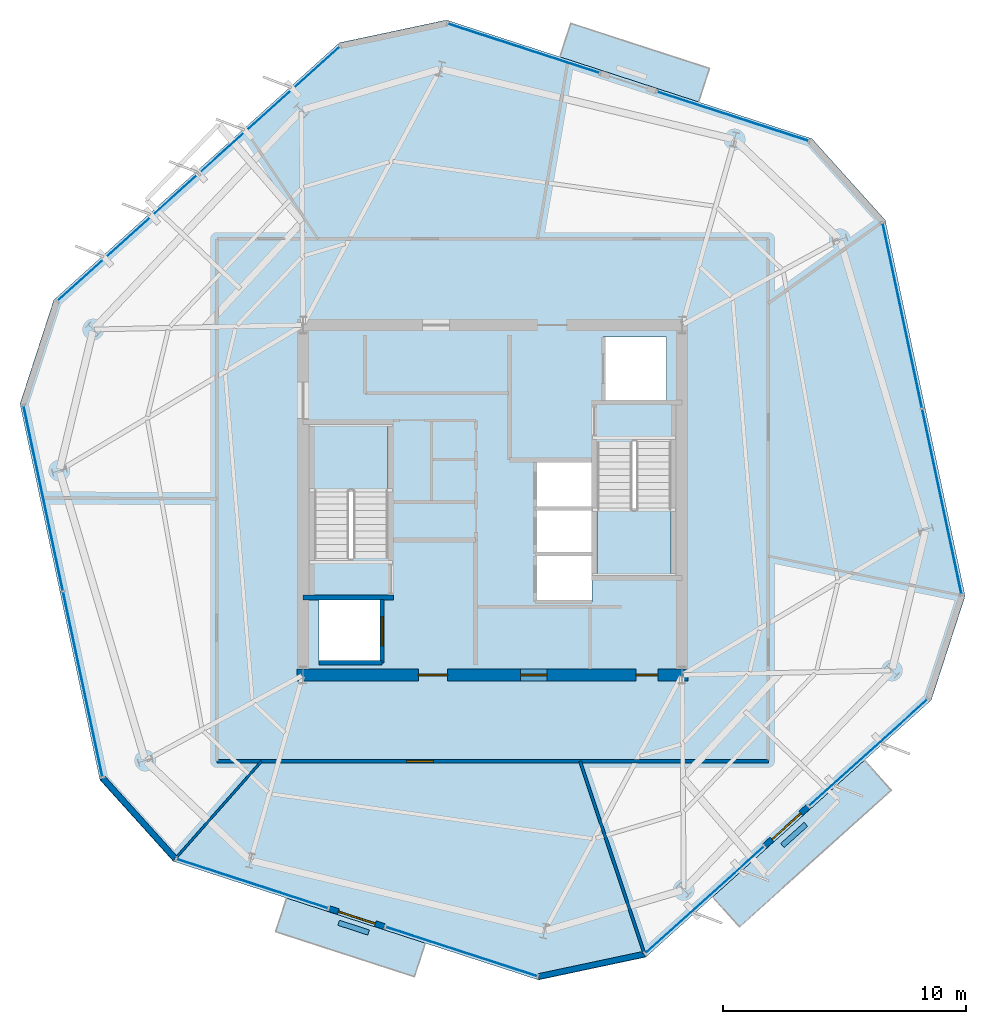
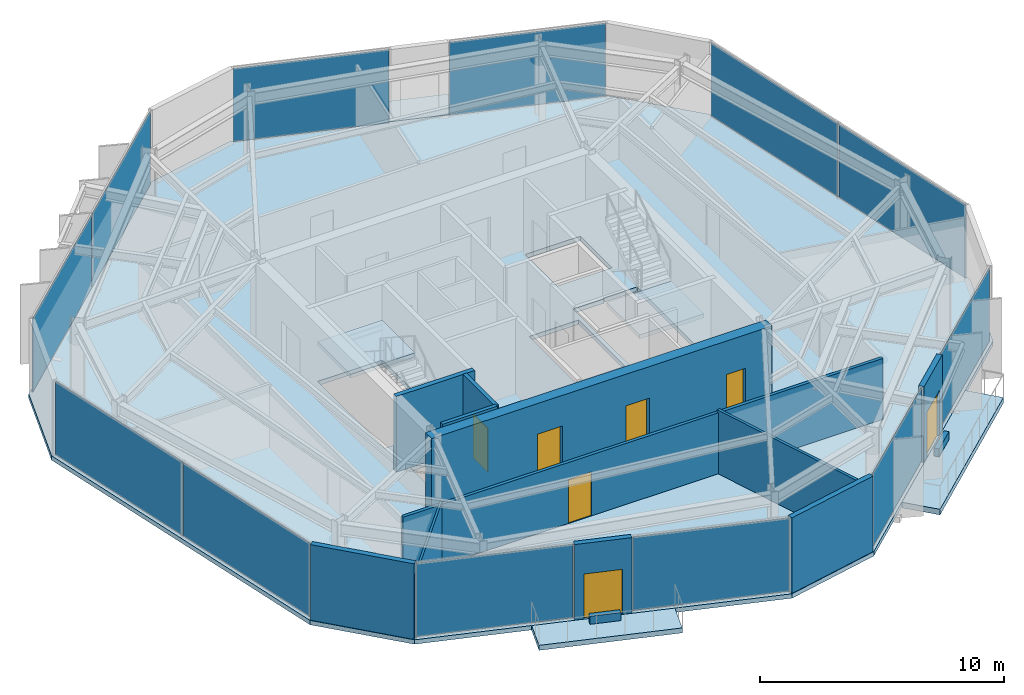
# One storey, part 6 of 11: 13 walls, 12 plates, 7 doors, 6 slabs, 7 openings, 11 elements without a shape of their own.
"""IFC4 building model written with IfcOpenShell, lengths in metres."""

from ifc_helpers import new_model, si_unit, direction, frame, frame_2d, origin, origin_2d, place, context, subcontext, project, spatial, polyline, rectangle, outline, extrude, material, layer, layer_set, type_object, element, fill, aggregate, save


model = new_model("IFC4")

# Units and contexts
model_context = context("Model", 3, precision=1e-05, world=origin(), true_north=direction((0.0, 1.0)))
body_context = subcontext(model_context, "Body", "Model", "MODEL_VIEW")
ifc_project = project(units=[si_unit("LENGTHUNIT", "METRE"), si_unit("AREAUNIT", "SQUARE_METRE"), si_unit("VOLUMEUNIT", "CUBIC_METRE"), si_unit("PLANEANGLEUNIT", "RADIAN"), si_unit("MASSUNIT", "GRAM", prefix="KILO")], contexts=[model_context])

# Site, building, storey
site_placement = place(None, origin())
site = spatial("IfcSite", under=ifc_project, at=site_placement, CompositionType="ELEMENT")
building_placement = place(site_placement, origin())
building = spatial("IfcBuilding", under=site, at=building_placement, Name="Kranzbogen Civic Tower", CompositionType="ELEMENT")
storey_placement = place(building_placement, frame((0.0, 0.0, 192.800048828125)))
storey = spatial("IfcBuildingStorey", under=building, at=storey_placement, Name="L46", CompositionType="ELEMENT", Elevation=192.800048828125)

# Slab
ifc_material_1 = material(Name="Concrete C40/50", Category="concrete")
ifc_layer_1 = layer(ifc_material_1, 0.219970703125, Name="Concrete C40/50")
ifc_layer_set_1 = layer_set([ifc_layer_1], Name="Concrete C40/50")
slab_type_1 = type_object("IfcSlabType", Name="Composite Upper Tower Floor Slab 220 mm", PredefinedType="FLOOR", material=ifc_layer_set_1)
slab_1_placement = place(storey_placement, frame((0.0, 0.0, -0.219970703125)))
element("IfcSlab", 1, at=slab_1_placement, inside=storey, type_object=slab_type_1, Name="L46 tower floor slab", PredefinedType="FLOOR", context=body_context, shape_type="SweptSolid", body=[
    extrude(outline(polyline([(38.14697265625, 39.864990234375), (23.10205078125, 44.7529296875), (18.699951171875, 43.818115234375), (6.944091796875, 33.23291015625), (5.552978515625, 28.952880859375), (8.842041015625, 13.47900390625), (11.85302734375, 10.135009765625), (26.89794921875, 5.2470703125), (31.300048828125, 6.181884765625), (43.055908203125, 16.76708984375), (44.447021484375, 21.047119140625), (41.157958984375, 36.52099609375), (38.14697265625, 39.864990234375)]), holes=[polyline([(17.85009765625, 20.89990234375), (20.449951171875, 20.89990234375), (20.449951171875, 18.300048828125), (17.85009765625, 18.300048828125), (17.85009765625, 20.89990234375)]), polyline([(29.10009765625, 22.699951171875), (29.10009765625, 20.800048828125), (26.75, 20.800048828125), (26.75, 22.699951171875), (29.10009765625, 22.699951171875)]), polyline([(29.10009765625, 24.64990234375), (29.10009765625, 22.77490234375), (26.75, 22.77490234375), (26.75, 24.64990234375), (26.75, 24.675048828125), (26.75, 26.550048828125), (29.10009765625, 26.550048828125), (29.10009765625, 24.675048828125), (29.10009765625, 24.64990234375)]), polyline([(29.300048828125, 27.340087890625), (30.75, 27.340087890625), (30.75, 27.39990234375), (32.35009765625, 27.39990234375), (32.35009765625, 21.89990234375), (29.300048828125, 21.89990234375), (29.300048828125, 27.340087890625)]), polyline([(20.699951171875, 22.659912109375), (19.25, 22.659912109375), (19.25, 22.60009765625), (17.64990234375, 22.60009765625), (17.64990234375, 28.10009765625), (20.699951171875, 28.10009765625), (20.699951171875, 22.659912109375)]), polyline([(32.14990234375, 31.699951171875), (32.14990234375, 29.10009765625), (29.550048828125, 29.10009765625), (29.550048828125, 31.699951171875), (32.14990234375, 31.699951171875)])]), origin(), (0.0, 0.0, 1.0), 0.219970703125),
])

# Curtain wall, plate
ifc_material_2 = material(Name="Pale Anodised Aluminium", Category="aluminium")
ifc_layer_2 = layer(ifc_material_2, 0.219970703125, Name="Pale Anodised Aluminium")
ifc_layer_set_2 = layer_set([ifc_layer_2], Name="Pale Anodised Aluminium")
curtain_wall_type = type_object("IfcCurtainWallType", Name="Zone 3 Stick Curtain Wall System CW-04", PredefinedType="USERDEFINED", material=ifc_layer_set_2)
curtain_wall_1_placement = place(storey_placement, origin())
curtain_wall_1 = element("IfcCurtainWall", 2, at=curtain_wall_1_placement, inside=storey, type_object=curtain_wall_type, Name="L46 curtain wall CW-L46-F1-S1", ObjectType="STICK CURTAIN WALL", PredefinedType="USERDEFINED")
ifc_material_3 = material(Name="Low-E Triple Glazing Glass", Category="glass")
ifc_layer_3 = layer(ifc_material_3, 0.030029296875, Name="Low-E Triple Glazing Glass")
ifc_layer_set_3 = layer_set([ifc_layer_3], Name="Low-E Triple Glazing Glass")
plate_type = type_object("IfcPlateType", Name="Insulated Low-E Glazing Panel 30 mm", PredefinedType="CURTAIN_PANEL", material=ifc_layer_set_3)
plate_1_placement = place(storey_placement, frame((34.889892578125, 40.7880859375, 0.06005859375), z_axis=(0.0, 0.0, 1.0), x_axis=(-0.951060572713, 0.309004509725, 0.0)))
plate_1 = element("IfcPlate", 3, at=plate_1_placement, type_object=plate_type, Name="CW-04 panel 1.1", PredefinedType="CURTAIN_PANEL", context=body_context, shape_type="SweptSolid", body=[
    extrude(rectangle(XDim=6.53369140625, YDim=0.028076171875, at=origin_2d()), origin(), (0.0, 0.0, 1.0), 3.659912109375),
])
aggregate(curtain_wall_1, [plate_1])

curtain_wall_2_placement = place(storey_placement, origin())
curtain_wall_2 = element("IfcCurtainWall", 4, at=curtain_wall_2_placement, inside=storey, type_object=curtain_wall_type, Name="L46 curtain wall CW-L46-F1-S2", ObjectType="STICK CURTAIN WALL", PredefinedType="USERDEFINED")
plate_2_placement = place(storey_placement, frame((26.279052734375, 43.5859375, 0.06005859375), z_axis=(0.0, 0.0, 1.0), x_axis=(-0.951060572713, 0.309004509725, 0.0)))
plate_2 = element("IfcPlate", 5, at=plate_2_placement, type_object=plate_type, Name="CW-04 panel 1.1", PredefinedType="CURTAIN_PANEL", context=body_context, shape_type="SweptSolid", body=[
    extrude(rectangle(XDim=6.53369140625, YDim=0.028076171875, at=origin_2d()), origin(), (0.0, 0.0, 1.0), 3.659912109375),
])
aggregate(curtain_wall_2, [plate_2])

# Curtain wall, plates
curtain_wall_3_placement = place(storey_placement, origin())
curtain_wall_3 = element("IfcCurtainWall", 6, at=curtain_wall_3_placement, inside=storey, type_object=curtain_wall_type, Name="L46 curtain wall CW-L46-F2", ObjectType="STICK CURTAIN WALL", PredefinedType="USERDEFINED")
plate_3_placement = place(storey_placement, frame((15.814697265625, 41.04736328125, 0.06005859375), z_axis=(0.0, 0.0, 1.0), x_axis=(-0.743158008002, -0.669115965392, 0.0)))
plate_3 = element("IfcPlate", 7, at=plate_3_placement, type_object=plate_type, Name="CW-04 panel 1.1", PredefinedType="CURTAIN_PANEL", context=body_context, shape_type="SweptSolid", body=[
    extrude(rectangle(XDim=7.763671875, YDim=0.028076171875, at=origin_2d()), origin(), (0.0, 0.0, 1.0), 3.659912109375),
])
plate_4_placement = place(storey_placement, frame((10.00048828125, 35.8125, 0.06005859375), z_axis=(0.0, 0.0, 1.0), x_axis=(-0.743158008002, -0.669115965392, 0.0)))
plate_4 = element("IfcPlate", 8, at=plate_4_placement, type_object=plate_type, Name="CW-04 panel 2.1", PredefinedType="CURTAIN_PANEL", context=body_context, shape_type="SweptSolid", body=[
    extrude(rectangle(XDim=7.763671875, YDim=0.028076171875, at=origin_2d()), origin(), (0.0, 0.0, 1.0), 3.659912109375),
])
aggregate(curtain_wall_3, [plate_3, plate_4])

curtain_wall_4_placement = place(storey_placement, origin())
curtain_wall_4 = element("IfcCurtainWall", 9, at=curtain_wall_4_placement, inside=storey, type_object=curtain_wall_type, Name="L46 curtain wall CW-L46-F3", ObjectType="STICK CURTAIN WALL", PredefinedType="USERDEFINED")
plate_5_placement = place(storey_placement, frame((6.509521484375, 25.069091796875, 0.06005859375), z_axis=(0.0, 0.0, 1.0), x_axis=(0.2079158588, -0.978146714793, 0.0)))
plate_5 = element("IfcPlate", 10, at=plate_5_placement, type_object=plate_type, Name="CW-04 panel 1.1", PredefinedType="CURTAIN_PANEL", context=body_context, shape_type="SweptSolid", body=[
    extrude(rectangle(XDim=7.76416015625, YDim=0.028076171875, at=origin_2d()), origin(), (0.0, 0.0, 1.0), 3.659912109375),
])
plate_6_placement = place(storey_placement, frame((8.136474609375, 17.416015625, 0.06005859375), z_axis=(0.0, 0.0, 1.0), x_axis=(0.2079158588, -0.978146714793, 0.0)))
plate_6 = element("IfcPlate", 11, at=plate_6_placement, type_object=plate_type, Name="CW-04 panel 2.1", PredefinedType="CURTAIN_PANEL", context=body_context, shape_type="SweptSolid", body=[
    extrude(rectangle(XDim=7.76416015625, YDim=0.028076171875, at=origin_2d()), origin(), (0.0, 0.0, 1.0), 3.659912109375),
])
aggregate(curtain_wall_4, [plate_5, plate_6])

# Curtain wall, plate
curtain_wall_5_placement = place(storey_placement, origin())
curtain_wall_5 = element("IfcCurtainWall", 12, at=curtain_wall_5_placement, inside=storey, type_object=curtain_wall_type, Name="L46 curtain wall CW-L46-F4-S1", ObjectType="STICK CURTAIN WALL", PredefinedType="USERDEFINED")
plate_7_placement = place(storey_placement, frame((15.110107421875, 9.2119140625, 0.06005859375), z_axis=(0.0, 0.0, 1.0), x_axis=(0.951060572713, -0.309004509725, 0.0)))
plate_7 = element("IfcPlate", 13, at=plate_7_placement, type_object=plate_type, Name="CW-04 panel 1.1", PredefinedType="CURTAIN_PANEL", context=body_context, shape_type="SweptSolid", body=[
    extrude(rectangle(XDim=6.53369140625, YDim=0.028076171875, at=origin_2d()), origin(), (0.0, 0.0, 1.0), 3.659912109375),
])
aggregate(curtain_wall_5, [plate_7])

curtain_wall_6_placement = place(storey_placement, origin())
curtain_wall_6 = element("IfcCurtainWall", 14, at=curtain_wall_6_placement, inside=storey, type_object=curtain_wall_type, Name="L46 curtain wall CW-L46-F4-S2", ObjectType="STICK CURTAIN WALL", PredefinedType="USERDEFINED")
plate_8_placement = place(storey_placement, frame((23.720947265625, 6.4140625, 0.06005859375), z_axis=(0.0, 0.0, 1.0), x_axis=(0.951060572713, -0.309004509725, 0.0)))
plate_8 = element("IfcPlate", 15, at=plate_8_placement, type_object=plate_type, Name="CW-04 panel 1.1", PredefinedType="CURTAIN_PANEL", context=body_context, shape_type="SweptSolid", body=[
    extrude(rectangle(XDim=6.53369140625, YDim=0.028076171875, at=origin_2d()), origin(), (0.0, 0.0, 1.0), 3.659912109375),
])
aggregate(curtain_wall_6, [plate_8])

curtain_wall_7_placement = place(storey_placement, origin())
curtain_wall_7 = element("IfcCurtainWall", 16, at=curtain_wall_7_placement, inside=storey, type_object=curtain_wall_type, Name="L46 curtain wall CW-L46-F5-S1", ObjectType="STICK CURTAIN WALL", PredefinedType="USERDEFINED")
plate_9_placement = place(storey_placement, frame((33.72802734375, 8.541015625, 0.06005859375), z_axis=(0.0, 0.0, 1.0), x_axis=(0.743114748372, 0.669164008859, 0.0)))
plate_9 = element("IfcPlate", 17, at=plate_9_placement, type_object=plate_type, Name="CW-04 panel 1.1", PredefinedType="CURTAIN_PANEL", context=body_context, shape_type="SweptSolid", body=[
    extrude(rectangle(XDim=6.532958984375, YDim=0.028076171875, at=origin_2d()), origin(), (0.0, 0.0, 1.0), 3.659912109375),
])
aggregate(curtain_wall_7, [plate_9])

curtain_wall_8_placement = place(storey_placement, origin())
curtain_wall_8 = element("IfcCurtainWall", 18, at=curtain_wall_8_placement, inside=storey, type_object=curtain_wall_type, Name="L46 curtain wall CW-L46-F5-S2", ObjectType="STICK CURTAIN WALL", PredefinedType="USERDEFINED")
plate_10_placement = place(storey_placement, frame((40.45654296875, 14.598388671875, 0.06005859375), z_axis=(0.0, 0.0, 1.0), x_axis=(0.743107311977, 0.669172266974, 0.0)))
plate_10 = element("IfcPlate", 19, at=plate_10_placement, type_object=plate_type, Name="CW-04 panel 1.1", PredefinedType="CURTAIN_PANEL", context=body_context, shape_type="SweptSolid", body=[
    extrude(rectangle(XDim=6.534423828125, YDim=0.028076171875, at=origin_2d()), origin(), (0.0, 0.0, 1.0), 3.659912109375),
])
aggregate(curtain_wall_8, [plate_10])

# Curtain wall, plates
curtain_wall_9_placement = place(storey_placement, origin())
curtain_wall_9 = element("IfcCurtainWall", 20, at=curtain_wall_9_placement, inside=storey, type_object=curtain_wall_type, Name="L46 curtain wall CW-L46-F6", ObjectType="STICK CURTAIN WALL", PredefinedType="USERDEFINED")
plate_11_placement = place(storey_placement, frame((43.490478515625, 24.930908203125, 0.06005859375), z_axis=(0.0, 0.0, 1.0), x_axis=(-0.2079158588, 0.978146714793, 0.0)))
plate_11 = element("IfcPlate", 21, at=plate_11_placement, type_object=plate_type, Name="CW-04 panel 1.1", PredefinedType="CURTAIN_PANEL", context=body_context, shape_type="SweptSolid", body=[
    extrude(rectangle(XDim=7.76416015625, YDim=0.028076171875, at=origin_2d()), origin(), (0.0, 0.0, 1.0), 3.659912109375),
])
plate_12_placement = place(storey_placement, frame((41.863525390625, 32.583984375, 0.06005859375), z_axis=(0.0, 0.0, 1.0), x_axis=(-0.2079158588, 0.978146714793, 0.0)))
plate_12 = element("IfcPlate", 22, at=plate_12_placement, type_object=plate_type, Name="CW-04 panel 2.1", PredefinedType="CURTAIN_PANEL", context=body_context, shape_type="SweptSolid", body=[
    extrude(rectangle(XDim=7.76416015625, YDim=0.028076171875, at=origin_2d()), origin(), (0.0, 0.0, 1.0), 3.659912109375),
])
aggregate(curtain_wall_9, [plate_11, plate_12])

# Stair, slab
ifc_material_4 = material(Name="Precast concrete C40/50", Category="concrete")
stair_type_1 = type_object("IfcStairType", Name="Tower Core Pressurized Dogleg Stair 1450", PredefinedType="HALF_TURN_STAIR", material=ifc_material_4)
stair_1_placement = place(storey_placement, origin())
stair_1 = element("IfcStair", 23, at=stair_1_placement, inside=storey, type_object=stair_type_1, Name="L46 Tower Core Pressurized Stair 1", PredefinedType="HALF_TURN_STAIR")
ifc_layer_4 = layer(ifc_material_4, 0.199951171875, Name="Precast concrete C40/50")
ifc_layer_set_4 = layer_set([ifc_layer_4], Name="Precast concrete C40/50")
slab_type_2 = type_object("IfcSlabType", Name="Precast Concrete Stair Landing Slab 200 mm", PredefinedType="LANDING", material=ifc_layer_set_4)
slab_2_placement = place(storey_placement, frame((0.0, 0.0, 1.800048828125)))
slab_2 = element("IfcSlab", 24, at=slab_2_placement, type_object=slab_type_2, Name="ST-T1 landing 1", PredefinedType="LANDING", context=body_context, shape_type="SweptSolid", body=[
    extrude(outline(polyline([(20.699951171875, 25.39990234375), (20.699951171875, 28.10009765625), (17.64990234375, 28.10009765625), (17.64990234375, 25.39990234375), (20.699951171875, 25.39990234375)])), origin(), (0.0, 0.0, 1.0), 0.199951171875),
])
aggregate(stair_1, [slab_2])

stair_type_2 = type_object("IfcStairType", Name="Tower Core Secondary Dogleg Stair 1450", PredefinedType="HALF_TURN_STAIR", material=ifc_material_4)
stair_2_placement = place(storey_placement, origin())
stair_2 = element("IfcStair", 25, at=stair_2_placement, inside=storey, type_object=stair_type_2, Name="L46 Tower Core Pressurized Stair 2", PredefinedType="HALF_TURN_STAIR")
slab_3_placement = place(storey_placement, frame((0.0, 0.0, 1.800048828125)))
slab_3 = element("IfcSlab", 26, at=slab_3_placement, type_object=slab_type_2, Name="ST-T2 landing 1", PredefinedType="LANDING", context=body_context, shape_type="SweptSolid", body=[
    extrude(outline(polyline([(29.300048828125, 24.60009765625), (29.300048828125, 21.89990234375), (32.35009765625, 21.89990234375), (32.35009765625, 24.60009765625), (29.300048828125, 24.60009765625)])), origin(), (0.0, 0.0, 1.0), 0.199951171875),
])
aggregate(stair_2, [slab_3])

# Slabs
ifc_layer_5 = layer(ifc_material_1, 0.280029296875, Name="Concrete C40/50")
ifc_layer_set_5 = layer_set([ifc_layer_5], Name="Concrete C40/50")
slab_type_3 = type_object("IfcSlabType", Name="Spiral Terrace Cantilevered Slab 280 mm", PredefinedType="FLOOR", material=ifc_layer_set_5)
slab_4_placement = place(storey_placement, frame((0.0, 0.0, -0.280029296875)))
element("IfcSlab", 27, at=slab_4_placement, inside=storey, type_object=slab_type_3, Name="L46 cantilevered spiral terrace L46-ST", PredefinedType="FLOOR", context=body_context, shape_type="SweptSolid", body=[
    extrude(outline(polyline([(34.056884765625, 8.6640625), (40.299072265625, 14.284912109375), (41.403076171875, 13.05908203125), (35.160888671875, 7.43798828125), (34.056884765625, 8.6640625)])), origin(), (0.0, 0.0, 1.0), 0.280029296875),
])
ifc_layer_6 = layer(ifc_material_1, 0.25, Name="Concrete C40/50")
ifc_layer_set_6 = layer_set([ifc_layer_6], Name="Concrete C40/50")
slab_type_4 = type_object("IfcSlabType", Name="Tree Balcony Cantilevered Slab 250 mm", PredefinedType="FLOOR", material=ifc_layer_set_6)
slab_5_placement = place(storey_placement, frame((0.0, 0.0, -0.25)))
element("IfcSlab", 28, at=slab_5_placement, inside=storey, type_object=slab_type_4, Name="L46 cantilevered tree balcony L46-TB1", PredefinedType="FLOOR", context=body_context, shape_type="SweptSolid", body=[
    extrude(outline(polyline([(33.47705078125, 41.382080078125), (27.77099609375, 43.236083984375), (28.218994140625, 44.614990234375), (33.925048828125, 42.760986328125), (33.47705078125, 41.382080078125)])), origin(), (0.0, 0.0, 1.0), 0.25),
])
slab_6_placement = place(storey_placement, frame((0.0, 0.0, -0.25)))
element("IfcSlab", 29, at=slab_6_placement, inside=storey, type_object=slab_type_4, Name="L46 cantilevered tree balcony L46-TB2", PredefinedType="FLOOR", context=body_context, shape_type="SweptSolid", body=[
    extrude(outline(polyline([(16.52294921875, 8.617919921875), (22.22900390625, 6.763916015625), (21.781005859375, 5.385009765625), (16.074951171875, 7.239013671875), (16.52294921875, 8.617919921875)])), origin(), (0.0, 0.0, 1.0), 0.25),
])

# Wall, opening, door
ifc_material_5 = material(Name="Double-Stud Acoustic Gypsum Partition")
ifc_layer_7 = layer(ifc_material_5, 0.14990234375, Name="Double-Stud Acoustic Gypsum Partition")
ifc_layer_set_7 = layer_set([ifc_layer_7], Name="Double-Stud Acoustic Gypsum Partition")
wall_type_1 = type_object("IfcWallType", Name="Acoustic Corridor and Clinical Partition 150 mm", PredefinedType="PARTITIONING", material=ifc_layer_set_7)
wall_1_placement = place(storey_placement, frame((36.35009765625, 14.25, 0.0), z_axis=(0.0, 0.0, 1.0), x_axis=(-1.0, 0.0, 0.0)))
wall_1 = element("IfcWall", 30, at=wall_1_placement, inside=storey, type_object=wall_type_1, Name="L46 corridor partition 03", PredefinedType="PARTITIONING", context=body_context, shape_type="SweptSolid", body=[
    extrude(rectangle(XDim=22.7001953125, YDim=0.14990234375, at=frame_2d((11.35009765625, 0.0))), origin(), (0.0, 0.0, 1.0), 3.050048828125),
])
opening_1_placement = place(wall_1_placement, frame((13.783935546875, 0.0, 0.0)))
opening_1 = element("IfcOpeningElement", 31, at=opening_1_placement, cuts=wall_1, Name="Opening D-COR60", PredefinedType="OPENING", context=body_context, shape_type="SweptSolid", body=[
    extrude(rectangle(XDim=1.10009765625, YDim=2.199951171875, at=frame_2d((0.550048828125, 1.10009765625))), frame((0.0, 0.0849609375, 0.0), z_axis=(0.0, -1.0, 0.0), x_axis=(1.0, 0.0, 0.0)), (0.0, 0.0, 1.0), 0.169921875),
])
ifc_material_6 = material(Name="Oak Timber and Fire Core", Category="wood")
door_type_1 = type_object("IfcDoorType", Name="Corridor Acoustic Fire Door 1100x2200", OperationType="NOTDEFINED", PredefinedType="DOOR", material=ifc_material_6)
door_1_placement = place(opening_1_placement, origin())
door_1 = element("IfcDoor", 32, at=door_1_placement, inside=storey, type_object=door_type_1, Name="L46 Urban Design Workshop door", OperationType="SINGLE_SWING_RIGHT", OverallHeight=2.199951171875, OverallWidth=1.10009765625, PredefinedType="DOOR", context=body_context, shape_type="SweptSolid", body=[
    extrude(rectangle(XDim=1.10009765625, YDim=2.199951171875, at=frame_2d((0.550048828125, 1.10009765625))), frame((0.0, 0.02490234375, 0.0), z_axis=(0.0, -1.0, 0.0), x_axis=(1.0, 0.0, 0.0)), (0.0, 0.0, 1.0), 0.050048828125),
])
fill(opening_1, door_1)

# Walls
ifc_material_7 = material(Name="Insulated Metal-Stud Gypsum Partition")
ifc_layer_8 = layer(ifc_material_7, 0.125, Name="Insulated Metal-Stud Gypsum Partition")
ifc_layer_set_8 = layer_set([ifc_layer_8], Name="Insulated Metal-Stud Gypsum Partition")
wall_type_2 = type_object("IfcWallType", Name="Acoustic Inter-Room Partition 125 mm", PredefinedType="PARTITIONING", material=ifc_layer_set_8)
wall_2_placement = place(storey_placement, frame((28.59912109375, 14.25, 0.0), z_axis=(0.0, 0.0, 1.0), x_axis=(0.317473059153, -0.948267291808, 0.0)))
element("IfcWall", 33, at=wall_2_placement, inside=storey, type_object=wall_type_2, Name="L46 radial room partition 05", PredefinedType="PARTITIONING", context=body_context, shape_type="SweptSolid", body=[
    extrude(rectangle(XDim=8.349853515625, YDim=0.125, at=frame_2d((4.1748046875, 0.0))), origin(), (0.0, 0.0, 1.0), 3.179931640625),
])
ifc_material_8 = material(Name="Architectural Precast Terracotta Concrete C40/50", Category="masonry")
ifc_layer_9 = layer(ifc_material_8, 0.219970703125, Name="Architectural Precast Terracotta Concrete C40/50")
ifc_layer_set_9 = layer_set([ifc_layer_9], Name="Architectural Precast Terracotta Concrete C40/50")
wall_type_3 = type_object("IfcWallType", Name="Architectural Tree Planter Kerb Wall 220 mm", PredefinedType="USERDEFINED", material=ifc_layer_set_9)
wall_3_placement = place(storey_placement, frame((18.6640625, 7.60205078125, 0.0), z_axis=(0.0, 0.0, 1.0), x_axis=(0.950931858287, -0.309400389293, 0.0)))
element("IfcWall", 34, at=wall_3_placement, inside=storey, type_object=wall_type_3, Name="L46 landscaped tree balcony planter L46-TB2", ObjectType="PLANTER_WALL", PredefinedType="USERDEFINED", context=body_context, shape_type="SweptSolid", body=[
    extrude(rectangle(XDim=1.299560546875, YDim=0.219970703125, at=frame_2d((0.64990234375, 0.0))), origin(), (0.0, 0.0, 1.0), 0.39990234375),
])
wall_4_placement = place(storey_placement, frame((36.927001953125, 10.781982421875, 0.0), z_axis=(0.0, 0.0, 1.0), x_axis=(0.743041992212, 0.669244796625, 0.0)))
element("IfcWall", 35, at=wall_4_placement, inside=storey, type_object=wall_type_3, Name="L46 landscaped tree balcony planter L46-ST", ObjectType="PLANTER_WALL", PredefinedType="USERDEFINED", context=body_context, shape_type="SweptSolid", body=[
    extrude(rectangle(XDim=1.300048828125, YDim=0.219970703125, at=frame_2d((0.64990234375, 0.0))), origin(), (0.0, 0.0, 1.0), 0.39990234375),
])

# Wall, openings, doors
ifc_material_9 = material(Name="Concrete C45/55", Category="concrete")
ifc_layer_10 = layer(ifc_material_9, 0.5, Name="Concrete C45/55")
ifc_layer_set_10 = layer_set([ifc_layer_10], Name="Concrete C45/55")
wall_type_4 = type_object("IfcWallType", Name="Central Core Shear Wall 500 mm", PredefinedType="SHEAR", material=ifc_layer_set_10)
wall_5_placement = place(storey_placement, frame((16.949951171875, 17.800048828125, 0.0), z_axis=(0.0, 0.0, 1.0), x_axis=(1.0, 0.0, 0.0)))
wall_5 = element("IfcWall", 36, at=wall_5_placement, inside=storey, type_object=wall_type_4, Name="L46 central core South shear wall", PredefinedType="SHEAR", context=body_context, shape_type="SweptSolid", body=[
    extrude(rectangle(XDim=16.10009765625, YDim=0.5, at=frame_2d((8.050048828125, 0.0))), origin(), (0.0, 0.0, 1.0), 3.780029296875),
])
opening_2_placement = place(wall_5_placement, frame((5.0, 0.0, 0.0)))
opening_2 = element("IfcOpeningElement", 37, at=opening_2_placement, cuts=wall_5, Name="Opening D-EX120", PredefinedType="OPENING", context=body_context, shape_type="SweptSolid", body=[
    extrude(rectangle(XDim=1.199951171875, YDim=2.25, at=frame_2d((0.60009765625, 1.125))), frame((0.0, 0.260009765625, 0.0), z_axis=(0.0, -1.0, 0.0), x_axis=(1.0, 0.0, 0.0)), (0.0, 0.0, 1.0), 0.52001953125),
])
opening_3_placement = place(wall_5_placement, frame((13.949951171875, 0.0, 0.0)))
opening_3 = element("IfcOpeningElement", 38, at=opening_3_placement, cuts=wall_5, Name="Opening D-WC90", PredefinedType="OPENING", context=body_context, shape_type="SweptSolid", body=[
    extrude(rectangle(XDim=0.89990234375, YDim=2.10009765625, at=frame_2d((0.449951171875, 1.050048828125))), frame((0.0, 0.260009765625, 0.0), z_axis=(0.0, -1.0, 0.0), x_axis=(1.0, 0.0, 0.0)), (0.0, 0.0, 1.0), 0.52001953125),
])
opening_4_placement = place(wall_5_placement, frame((9.199951171875, 0.0, 0.0)))
opening_4 = element("IfcOpeningElement", 39, at=opening_4_placement, cuts=wall_5, Name="Opening D-COR60", PredefinedType="OPENING", context=body_context, shape_type="SweptSolid", body=[
    extrude(rectangle(XDim=1.10009765625, YDim=2.199951171875, at=frame_2d((0.550048828125, 1.10009765625))), frame((0.0, 0.260009765625, 0.0), z_axis=(0.0, -1.0, 0.0), x_axis=(1.0, 0.0, 0.0)), (0.0, 0.0, 1.0), 0.52001953125),
])
door_2_placement = place(opening_4_placement, origin())
door_2 = element("IfcDoor", 40, at=door_2_placement, inside=storey, type_object=door_type_1, Name="L46 REC1 archive room door", OperationType="SINGLE_SWING_LEFT", OverallHeight=2.199951171875, OverallWidth=1.10009765625, PredefinedType="DOOR", context=body_context, shape_type="SweptSolid", body=[
    extrude(rectangle(XDim=1.10009765625, YDim=2.199951171875, at=frame_2d((0.550048828125, 1.10009765625))), frame((0.0, 0.02490234375, 0.0), z_axis=(0.0, -1.0, 0.0), x_axis=(1.0, 0.0, 0.0)), (0.0, 0.0, 1.0), 0.050048828125),
])
fill(opening_4, door_2)
ifc_material_10 = material(Name="Steel S355", Category="steel")
door_type_2 = type_object("IfcDoorType", Name="Exit Passageway Fire Door 1200x2250", OperationType="NOTDEFINED", PredefinedType="DOOR", material=ifc_material_10)
door_3_placement = place(opening_2_placement, origin())
door_3 = element("IfcDoor", 41, at=door_3_placement, inside=storey, type_object=door_type_2, Name="L46 West firefighting lobby corridor door", OperationType="SINGLE_SWING_RIGHT", OverallHeight=2.25, OverallWidth=1.199951171875, PredefinedType="DOOR", context=body_context, shape_type="SweptSolid", body=[
    extrude(rectangle(XDim=1.199951171875, YDim=2.25, at=frame_2d((0.60009765625, 1.125))), frame((0.0, 0.02490234375, 0.0), z_axis=(0.0, -1.0, 0.0), x_axis=(1.0, 0.0, 0.0)), (0.0, 0.0, 1.0), 0.050048828125),
])
fill(opening_2, door_3)
ifc_material_11 = material(Name="Moisture-Resistant Laminate")
door_type_3 = type_object("IfcDoorType", Name="Standard Restroom and Store Door 900x2100", OperationType="NOTDEFINED", PredefinedType="DOOR", material=ifc_material_11)
door_4_placement = place(opening_3_placement, origin())
door_4 = element("IfcDoor", 42, at=door_4_placement, inside=storey, type_object=door_type_3, Name="L46 East electrical riser access door", OperationType="SINGLE_SWING_RIGHT", OverallHeight=2.10009765625, OverallWidth=0.89990234375, PredefinedType="DOOR", context=body_context, shape_type="SweptSolid", body=[
    extrude(rectangle(XDim=0.89990234375, YDim=2.10009765625, at=frame_2d((0.449951171875, 1.050048828125))), frame((0.0, 0.02490234375, 0.0), z_axis=(0.0, -1.0, 0.0), x_axis=(1.0, 0.0, 0.0)), (0.0, 0.0, 1.0), 0.050048828125),
])
fill(opening_3, door_4)

# Walls
ifc_layer_11 = layer(ifc_material_9, 0.219970703125, Name="Concrete C45/55")
ifc_layer_set_11 = layer_set([ifc_layer_11], Name="Concrete C45/55")
wall_type_5 = type_object("IfcWallType", Name="Core Internal Stair Structural Wall 220 mm", PredefinedType="SOLIDWALL", material=ifc_layer_set_11)
wall_6_placement = place(storey_placement, frame((17.199951171875, 20.989990234375, 0.0), z_axis=(0.0, 0.0, 1.0), x_axis=(1.0, 0.0, 0.0)))
element("IfcWall", 43, at=wall_6_placement, inside=storey, type_object=wall_type_5, Name="L46 ST-T1 South structural stair wall", PredefinedType="SOLIDWALL", context=body_context, shape_type="SweptSolid", body=[
    extrude(rectangle(XDim=3.719970703125, YDim=0.219970703125, at=frame_2d((1.85986328125, 0.0))), origin(), (0.0, 0.0, 1.0), 3.780029296875),
])
ifc_material_12 = material(Name="Demountable Aluminium and Gypsum Partition", Category="aluminium")
ifc_layer_12 = layer(ifc_material_12, 0.10009765625, Name="Demountable Aluminium and Gypsum Partition")
ifc_layer_set_12 = layer_set([ifc_layer_12], Name="Demountable Aluminium and Gypsum Partition")
wall_type_6 = type_object("IfcWallType", Name="Demountable Office Partition 100 mm", PredefinedType="MOVABLE", material=ifc_layer_set_12)
wall_7_placement = place(storey_placement, frame((15.491943359375, 14.25, 0.0), z_axis=(0.0, 0.0, 1.0), x_axis=(-0.662370464817, -0.749176459412, 0.0)))
element("IfcWall", 44, at=wall_7_placement, inside=storey, type_object=wall_type_6, Name="L46 radial room partition 04", PredefinedType="MOVABLE", context=body_context, shape_type="SweptSolid", body=[
    extrude(rectangle(XDim=5.335205078125, YDim=0.10009765625, at=frame_2d((2.66748046875, 0.0))), origin(), (0.0, 0.0, 1.0), 3.179931640625),
])

# Wall, opening, door
ifc_material_13 = material(Name="Gypsum Fireboard Shaftliner")
ifc_layer_13 = layer(ifc_material_13, 0.175048828125, Name="Gypsum Fireboard Shaftliner")
ifc_layer_set_13 = layer_set([ifc_layer_13], Name="Gypsum Fireboard Shaftliner")
wall_type_7 = type_object("IfcWallType", Name="Fire-Rated Lift and Service Shaft Wall 175 mm", PredefinedType="PARTITIONING", material=ifc_layer_set_13)
wall_8_placement = place(storey_placement, frame((20.449951171875, 18.300048828125, 0.0), z_axis=(0.0, 0.0, 1.0), x_axis=(0.0, 1.0, 0.0)))
wall_8 = element("IfcWall", 45, at=wall_8_placement, inside=storey, type_object=wall_type_7, Name="L46 lift FF-01 landing wall", PredefinedType="PARTITIONING", context=body_context, shape_type="SweptSolid", body=[
    extrude(rectangle(XDim=2.599853515625, YDim=0.175048828125, at=frame_2d((1.2998046875, 0.0))), origin(), (0.0, 0.0, 1.0), 3.780029296875),
])
opening_5_placement = place(wall_8_placement, frame((0.699951171875, 0.0, 0.0)))
opening_5 = element("IfcOpeningElement", 46, at=opening_5_placement, cuts=wall_8, Name="Opening LD-FF-01", PredefinedType="OPENING", context=body_context, shape_type="SweptSolid", body=[
    extrude(rectangle(XDim=1.199951171875, YDim=2.199951171875, at=frame_2d((0.60009765625, 1.10009765625))), frame((0.0, 0.09765625, 0.0), z_axis=(0.0, -1.0, 0.0), x_axis=(1.0, 0.0, 0.0)), (0.0, 0.0, 1.0), 0.195068359375),
])
door_type_4 = type_object("IfcDoorType", Name="Firefighting and Stretcher Lift Sliding Landing Door 1200x2200", OperationType="DOUBLE_DOOR_SLIDING", PredefinedType="DOOR", material=ifc_material_2)
door_5_placement = place(opening_5_placement, origin())
door_5 = element("IfcDoor", 47, at=door_5_placement, inside=storey, type_object=door_type_4, Name="L46 lift FF-01 sliding landing door", OperationType="DOUBLE_DOOR_SLIDING", OverallHeight=2.199951171875, OverallWidth=1.199951171875, PredefinedType="DOOR", context=body_context, shape_type="SweptSolid", body=[
    extrude(rectangle(XDim=1.199951171875, YDim=2.199951171875, at=frame_2d((0.60009765625, 1.10009765625))), frame((0.0, 0.02490234375, 0.0), z_axis=(0.0, -1.0, 0.0), x_axis=(1.0, 0.0, 0.0)), (0.0, 0.0, 1.0), 0.050048828125),
])
fill(opening_5, door_5)

# Walls
wall_9_placement = place(storey_placement, frame((17.85009765625, 18.300048828125, 0.0), z_axis=(0.0, 0.0, 1.0), x_axis=(1.0, 0.0, 0.0)))
element("IfcWall", 48, at=wall_9_placement, inside=storey, type_object=wall_type_7, Name="L46 lift FF-01 side wall", PredefinedType="PARTITIONING", context=body_context, shape_type="SweptSolid", body=[
    extrude(rectangle(XDim=2.599853515625, YDim=0.175048828125, at=frame_2d((1.2998046875, 0.0))), origin(), (0.0, 0.0, 1.0), 3.780029296875),
])
ifc_layer_14 = layer(ifc_material_2, 0.239990234375, Name="Pale Anodised Aluminium")
ifc_layer_set_14 = layer_set([ifc_layer_14], Name="Pale Anodised Aluminium")
wall_type_8 = type_object("IfcWallType", Name="Insulated Aluminium Facade Portal Wall 240 mm", PredefinedType="STANDARD", material=ifc_layer_set_14)
wall_10_placement = place(storey_placement, frame((8.9560546875, 13.56005859375, 0.0), z_axis=(0.0, 0.0, 1.0), x_axis=(0.669203190827, -0.74307946371, 0.0)))
element("IfcWall", 49, at=wall_10_placement, inside=storey, type_object=wall_type_8, Name="L46 chamfered corner facade spandrel 3", PredefinedType="STANDARD", context=body_context, shape_type="SweptSolid", body=[
    extrude(rectangle(XDim=4.468017578125, YDim=0.239990234375, at=frame_2d((2.23388671875, 0.0))), origin(), (0.0, 0.0, 1.0), 3.780029296875),
])

# Wall, opening, door
wall_11_placement = place(storey_placement, frame((18.27392578125, 8.18408203125, 0.0), z_axis=(0.0, 0.0, 1.0), x_axis=(0.951006411901, -0.309171157328, 0.0)))
wall_11 = element("IfcWall", 50, at=wall_11_placement, inside=storey, type_object=wall_type_8, Name="L46 exterior entrance portal wall 1", PredefinedType="STANDARD", context=body_context, shape_type="SweptSolid", body=[
    extrude(rectangle(XDim=2.400634765625, YDim=0.239990234375, at=frame_2d((1.2001953125, 0.0))), origin(), (0.0, 0.0, 1.0), 3.780029296875),
])
opening_6_placement = place(wall_11_placement, frame((0.39990234375, 0.0, 0.0)))
opening_6 = element("IfcOpeningElement", 51, at=opening_6_placement, cuts=wall_11, Name="Opening D-TER", PredefinedType="OPENING", context=body_context, shape_type="SweptSolid", body=[
    extrude(rectangle(XDim=1.60009765625, YDim=2.25, at=frame_2d((0.800048828125, 1.125))), frame((0.0, 0.1298828125, 0.0), z_axis=(0.0, -1.0, 0.0), x_axis=(1.0, 0.0, 0.0)), (0.0, 0.0, 1.0), 0.260009765625),
])
ifc_material_14 = material(Name="Anodised Bronze and Triple Glass", Category="glass")
door_type_5 = type_object("IfcDoorType", Name="Glazed Terrace and Balcony Double Door 1600x2250", OperationType="DOUBLE_DOOR_SINGLE_SWING", PredefinedType="DOOR", material=ifc_material_14)
door_6_placement = place(opening_6_placement, frame((1.60009765625, 0.0, 0.0), z_axis=(0.0, 0.0, 1.0), x_axis=(-1.0, 0.0, 0.0)))
door_6 = element("IfcDoor", 52, at=door_6_placement, inside=storey, type_object=door_type_5, Name="L46 tree balcony access door L46-TB2", OperationType="DOUBLE_DOOR_SINGLE_SWING", OverallHeight=2.25, OverallWidth=1.60009765625, PredefinedType="DOOR", context=body_context, shape_type="SweptSolid", body=[
    extrude(rectangle(XDim=1.60009765625, YDim=2.25, at=frame_2d((0.800048828125, 1.125))), frame((0.0, 0.02490234375, 0.0), z_axis=(0.0, -1.0, 0.0), x_axis=(1.0, 0.0, 0.0)), (0.0, 0.0, 1.0), 0.050048828125),
])
fill(opening_6, door_6)

# Wall
wall_12_placement = place(storey_placement, frame((26.885009765625, 5.385986328125, 0.0), z_axis=(0.0, 0.0, 1.0), x_axis=(0.978154407503, 0.20787966491, 0.0)))
element("IfcWall", 53, at=wall_12_placement, inside=storey, type_object=wall_type_8, Name="L46 chamfered corner facade spandrel 4", PredefinedType="STANDARD", context=body_context, shape_type="SweptSolid", body=[
    extrude(rectangle(XDim=4.46875, YDim=0.239990234375, at=frame_2d((2.234375, 0.0))), origin(), (0.0, 0.0, 1.0), 3.780029296875),
])

# Wall, opening, door
wall_13_placement = place(storey_placement, frame((36.199951171875, 10.76708984375, 0.0), z_axis=(0.0, 0.0, 1.0), x_axis=(0.743410489012, 0.668835439273, 0.0)))
wall_13 = element("IfcWall", 54, at=wall_13_placement, inside=storey, type_object=wall_type_8, Name="L46 exterior entrance portal wall 1", PredefinedType="STANDARD", context=body_context, shape_type="SweptSolid", body=[
    extrude(rectangle(XDim=2.399658203125, YDim=0.239990234375, at=frame_2d((1.19970703125, 0.0))), origin(), (0.0, 0.0, 1.0), 3.780029296875),
])
opening_7_placement = place(wall_13_placement, frame((0.39990234375, 0.0, 0.0)))
opening_7 = element("IfcOpeningElement", 55, at=opening_7_placement, cuts=wall_13, Name="Opening D-TER", PredefinedType="OPENING", context=body_context, shape_type="SweptSolid", body=[
    extrude(rectangle(XDim=1.60009765625, YDim=2.25, at=frame_2d((0.800048828125, 1.125))), frame((0.0, 0.1298828125, 0.0), z_axis=(0.0, -1.0, 0.0), x_axis=(1.0, 0.0, 0.0)), (0.0, 0.0, 1.0), 0.260009765625),
])
door_7_placement = place(opening_7_placement, frame((1.60009765625, 0.0, 0.0), z_axis=(0.0, 0.0, 1.0), x_axis=(-1.0, 0.0, 0.0)))
door_7 = element("IfcDoor", 56, at=door_7_placement, inside=storey, type_object=door_type_5, Name="L46 spiral terrace access door L46-ST", OperationType="DOUBLE_DOOR_SINGLE_SWING", OverallHeight=2.25, OverallWidth=1.60009765625, PredefinedType="DOOR", context=body_context, shape_type="SweptSolid", body=[
    extrude(rectangle(XDim=1.60009765625, YDim=2.25, at=frame_2d((0.800048828125, 1.125))), frame((0.0, 0.02490234375, 0.0), z_axis=(0.0, -1.0, 0.0), x_axis=(1.0, 0.0, 0.0)), (0.0, 0.0, 1.0), 0.050048828125),
])
fill(opening_7, door_7)

save(model, "model.ifc")
